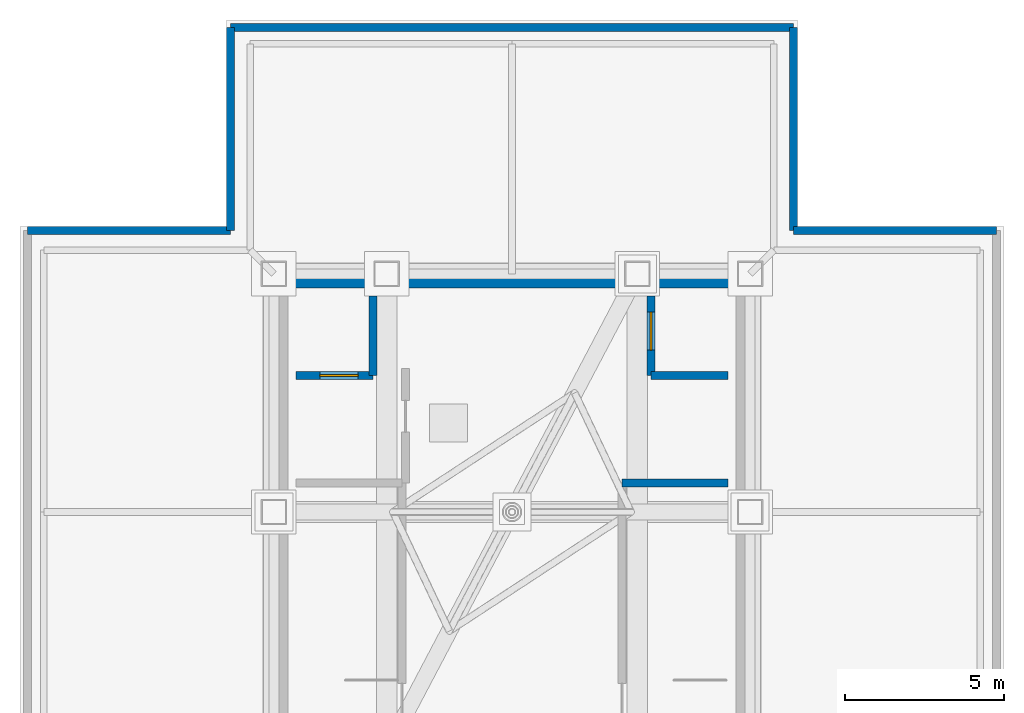
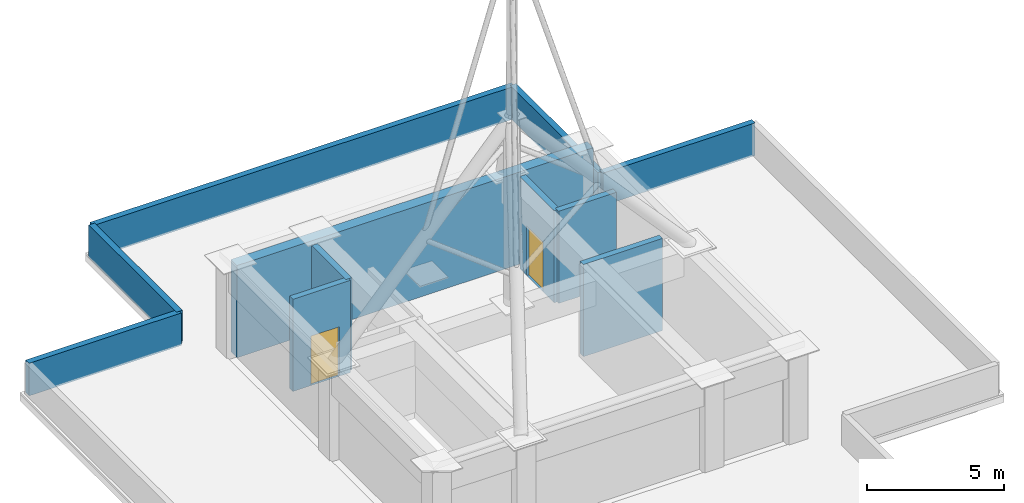
# One storey, part 4 of 5: 11 walls, 2 doors, 2 openings.
"""IFC4 building model written with IfcOpenShell, lengths in metres."""

from ifc_helpers import new_model, si_unit, direction, frame, frame_2d, origin, place, context, subcontext, project, spatial, rectangle, extrude, material, layer, layer_set, type_object, element, fill, save


model = new_model("IFC4")

# Units and contexts
model_context = context("Model", 3, precision=1e-05, world=origin(), true_north=direction((0.0, 1.0)))
body_context = subcontext(model_context, "Body", "Model", "MODEL_VIEW")
ifc_project = project(units=[si_unit("LENGTHUNIT", "METRE"), si_unit("AREAUNIT", "SQUARE_METRE"), si_unit("VOLUMEUNIT", "CUBIC_METRE"), si_unit("PLANEANGLEUNIT", "RADIAN"), si_unit("MASSUNIT", "GRAM", prefix="KILO")], contexts=[model_context])

# Site, building, storey
site_placement = place(None, origin())
site = spatial("IfcSite", under=ifc_project, at=site_placement, CompositionType="ELEMENT")
building_placement = place(site_placement, origin())
building = spatial("IfcBuilding", under=site, at=building_placement, Name="Trevonay Congress Spire", CompositionType="ELEMENT")
storey_placement = place(building_placement, frame((0.0, 0.0, 323.60009765625)))
storey = spatial("IfcBuildingStorey", under=building, at=storey_placement, Name="RF", CompositionType="ELEMENT", Elevation=323.60009765625)

# Walls
ifc_material_1 = material(Name="Precast concrete C40/50", Category="concrete")
ifc_layer_1 = layer(ifc_material_1, 0.25, Name="Precast concrete C40/50")
ifc_layer_set_1 = layer_set([ifc_layer_1], Name="Precast concrete C40/50")
wall_type_1 = type_object("IfcWallType", Name="WAL-PARAPET-250", PredefinedType="PARAPET", material=ifc_layer_set_1)
for number, where, z_axis, x_axis, name in (
    (1, (15.26806640625, 8.864990234375, 0.0), (0.0, 0.0, 1.0), (-1.0, 0.0, 0.0), "RF crown perimeter parapet wall 5"),
    (2, (8.864990234375, 8.864990234375, 0.0), (0.0, 0.0, 1.0), (0.0, 1.0, 0.0), "RF crown perimeter parapet wall 6"),
):
    element("IfcWall", number, at=place(storey_placement, frame(where, z_axis=z_axis, x_axis=x_axis)), inside=storey, type_object=wall_type_1, Name=name, PredefinedType="PARAPET", context=body_context, shape_type="SweptSolid", body=[
        extrude(rectangle(XDim=6.403076171875, YDim=0.25, at=frame_2d((3.20166015625, 0.0))), origin(), (0.0, 0.0, 1.0), 1.449951171875),
    ])
wall_1_placement = place(storey_placement, frame((8.864990234375, 15.26806640625, 0.0), z_axis=(0.0, 0.0, 1.0), x_axis=(-1.0, 0.0, 0.0)))
element("IfcWall", 3, at=wall_1_placement, inside=storey, type_object=wall_type_1, Name="RF crown perimeter parapet wall 7", PredefinedType="PARAPET", context=body_context, shape_type="SweptSolid", body=[
    extrude(rectangle(XDim=17.72998046875, YDim=0.25, at=frame_2d((8.864990234375, 0.0))), origin(), (0.0, 0.0, 1.0), 1.449951171875),
])
for number, where, z_axis, x_axis, name in (
    (4, (-8.864990234375, 15.26806640625, 0.0), (0.0, 0.0, 1.0), (0.0, -1.0, 0.0), "RF crown perimeter parapet wall 8"),
    (5, (-8.864990234375, 8.864990234375, 0.0), (0.0, 0.0, 1.0), (-1.0, 0.0, 0.0), "RF crown perimeter parapet wall 9"),
):
    element("IfcWall", number, at=place(storey_placement, frame(where, z_axis=z_axis, x_axis=x_axis)), inside=storey, type_object=wall_type_1, Name=name, PredefinedType="PARAPET", context=body_context, shape_type="SweptSolid", body=[
        extrude(rectangle(XDim=6.403076171875, YDim=0.25, at=frame_2d((3.20166015625, 0.0))), origin(), (0.0, 0.0, 1.0), 1.449951171875),
    ])
ifc_material_2 = material(Name="Concrete C50/60", Category="concrete")
ifc_layer_2 = layer(ifc_material_2, 0.449951171875, Name="Concrete C50/60")
ifc_layer_set_2 = layer_set([ifc_layer_2], Name="Concrete C50/60")
wall_type_2 = type_object("IfcWallType", Name="WAL-PENT-450", PredefinedType="SHEAR", material=ifc_layer_set_2)
wall_2_placement = place(storey_placement, frame((-7.5, 7.27490234375, 0.0), z_axis=(0.0, 0.0, 1.0), x_axis=(1.0, 0.0, 0.0)))
element("IfcWall", 6, at=wall_2_placement, inside=storey, type_object=wall_type_2, Name="RF North structural core shear wall", PredefinedType="SHEAR", context=body_context, shape_type="SweptSolid", body=[
    extrude(rectangle(XDim=15.0, YDim=0.449951171875, at=frame_2d((7.5, 0.0))), origin(), (0.0, 0.0, 1.0), 4.099853515625),
])

# Wall, opening, door
ifc_material_3 = material(Name="Concrete C40/50", Category="concrete")
ifc_layer_3 = layer(ifc_material_3, 0.25, Name="Concrete C40/50")
ifc_layer_set_3 = layer_set([ifc_layer_3], Name="Concrete C40/50")
wall_type_3 = type_object("IfcWallType", Name="WAL-SHAFT-250", PredefinedType="SHEAR", material=ifc_layer_set_3)
wall_3_placement = place(storey_placement, frame((-6.800048828125, 4.300048828125, 0.0), z_axis=(0.0, 0.0, 1.0), x_axis=(1.0, 0.0, 0.0)))
wall_3 = element("IfcWall", 7, at=wall_3_placement, inside=storey, type_object=wall_type_3, Name="RF interior shaft wall WSH-RF-FF1-S", PredefinedType="SHEAR", context=body_context, shape_type="SweptSolid", body=[
    extrude(rectangle(XDim=2.420166015625, YDim=0.25, at=frame_2d((1.2099609375, 0.0))), origin(), (0.0, 0.0, 1.0), 4.099853515625),
])
opening_1_placement = place(wall_3_placement, frame((0.75, 0.0, 0.0)))
opening_1 = element("IfcOpeningElement", 8, at=opening_1_placement, cuts=wall_3, Name="Opening LD04", PredefinedType="OPENING", context=body_context, shape_type="SweptSolid", body=[
    extrude(rectangle(XDim=1.199951171875, YDim=2.199951171875, at=frame_2d((0.60009765625, 1.10009765625))), frame((0.0, 0.135009765625, 0.0), z_axis=(0.0, -1.0, 0.0), x_axis=(1.0, 0.0, 0.0)), (0.0, 0.0, 1.0), 0.27001953125),
])
ifc_material_4 = material(Name="Steel ASTM A572 Grade 50", Category="steel")
door_type = type_object("IfcDoorType", Name="DOR-LIFT-LD04", OperationType="DOUBLE_DOOR_SLIDING", PredefinedType="DOOR", material=ifc_material_4)
door_1_placement = place(opening_1_placement, origin())
door_1 = element("IfcDoor", 9, at=door_1_placement, inside=storey, type_object=door_type, Name="RF Firefighting lift FFL-01 landing door", OperationType="DOUBLE_DOOR_SLIDING", OverallHeight=2.199951171875, OverallWidth=1.199951171875, PredefinedType="DOOR", context=body_context, shape_type="SweptSolid", body=[
    extrude(rectangle(XDim=1.199951171875, YDim=2.199951171875, at=frame_2d((0.60009765625, 1.10009765625))), frame((0.0, 0.02490234375, 0.0), z_axis=(0.0, -1.0, 0.0), x_axis=(1.0, 0.0, 0.0)), (0.0, 0.0, 1.0), 0.050048828125),
])
fill(opening_1, door_1)

# Walls
wall_4_placement = place(storey_placement, frame((-4.3798828125, 4.300048828125, 0.0), z_axis=(0.0, 0.0, 1.0), x_axis=(0.0, 1.0, 0.0)))
element("IfcWall", 10, at=wall_4_placement, inside=storey, type_object=wall_type_3, Name="RF interior shaft wall WSH-RF-FF1-E", PredefinedType="SHEAR", context=body_context, shape_type="SweptSolid", body=[
    extrude(rectangle(XDim=2.5, YDim=0.25, at=frame_2d((1.25, 0.0))), origin(), (0.0, 0.0, 1.0), 4.099853515625),
])
wall_5_placement = place(storey_placement, frame((4.3798828125, 4.300048828125, 0.0), z_axis=(0.0, 0.0, 1.0), x_axis=(1.0, 0.0, 0.0)))
element("IfcWall", 11, at=wall_5_placement, inside=storey, type_object=wall_type_3, Name="RF interior shaft wall WSH-RF-FF2-S", PredefinedType="SHEAR", context=body_context, shape_type="SweptSolid", body=[
    extrude(rectangle(XDim=2.420166015625, YDim=0.25, at=frame_2d((1.2099609375, 0.0))), origin(), (0.0, 0.0, 1.0), 4.099853515625),
])

# Wall, opening, door
wall_6_placement = place(storey_placement, frame((4.3798828125, 4.300048828125, 0.0), z_axis=(0.0, 0.0, 1.0), x_axis=(0.0, 1.0, 0.0)))
wall_6 = element("IfcWall", 12, at=wall_6_placement, inside=storey, type_object=wall_type_3, Name="RF interior shaft wall WSH-RF-FF2-W", PredefinedType="SHEAR", context=body_context, shape_type="SweptSolid", body=[
    extrude(rectangle(XDim=2.5, YDim=0.25, at=frame_2d((1.25, 0.0))), origin(), (0.0, 0.0, 1.0), 4.099853515625),
])
opening_2_placement = place(wall_6_placement, frame((0.800048828125, 0.0, 0.0)))
opening_2 = element("IfcOpeningElement", 13, at=opening_2_placement, cuts=wall_6, Name="Opening LD04", PredefinedType="OPENING", context=body_context, shape_type="SweptSolid", body=[
    extrude(rectangle(XDim=1.199951171875, YDim=2.199951171875, at=frame_2d((0.60009765625, 1.10009765625))), frame((0.0, 0.135009765625, 0.0), z_axis=(0.0, -1.0, 0.0), x_axis=(1.0, 0.0, 0.0)), (0.0, 0.0, 1.0), 0.27001953125),
])
door_2_placement = place(opening_2_placement, origin())
door_2 = element("IfcDoor", 14, at=door_2_placement, inside=storey, type_object=door_type, Name="RF Firefighting lift FFL-02 landing door", OperationType="DOUBLE_DOOR_SLIDING", OverallHeight=2.199951171875, OverallWidth=1.199951171875, PredefinedType="DOOR", context=body_context, shape_type="SweptSolid", body=[
    extrude(rectangle(XDim=1.199951171875, YDim=2.199951171875, at=frame_2d((0.60009765625, 1.10009765625))), frame((0.0, 0.02490234375, 0.0), z_axis=(0.0, -1.0, 0.0), x_axis=(1.0, 0.0, 0.0)), (0.0, 0.0, 1.0), 0.050048828125),
])
fill(opening_2, door_2)

# Wall
ifc_layer_4 = layer(ifc_material_3, 0.25, Name="Concrete C40/50")
ifc_layer_set_4 = layer_set([ifc_layer_4], Name="Concrete C40/50")
wall_type_4 = type_object("IfcWallType", Name="WAL-SHAFT-LB-250", PredefinedType="SHEAR", material=ifc_layer_set_4)
wall_7_placement = place(storey_placement, frame((3.469970703125, 0.919921875, 0.0), z_axis=(0.0, 0.0, 1.0), x_axis=(1.0, 0.0, 0.0)))
element("IfcWall", 15, at=wall_7_placement, inside=storey, type_object=wall_type_4, Name="RF interior shaft wall WSH-RF-ST2-N", PredefinedType="SHEAR", context=body_context, shape_type="SweptSolid", body=[
    extrude(rectangle(XDim=3.330078125, YDim=0.25, at=frame_2d((1.6650390625, 0.0))), origin(), (0.0, 0.0, 1.0), 4.099853515625),
])

save(model, "model.ifc")
